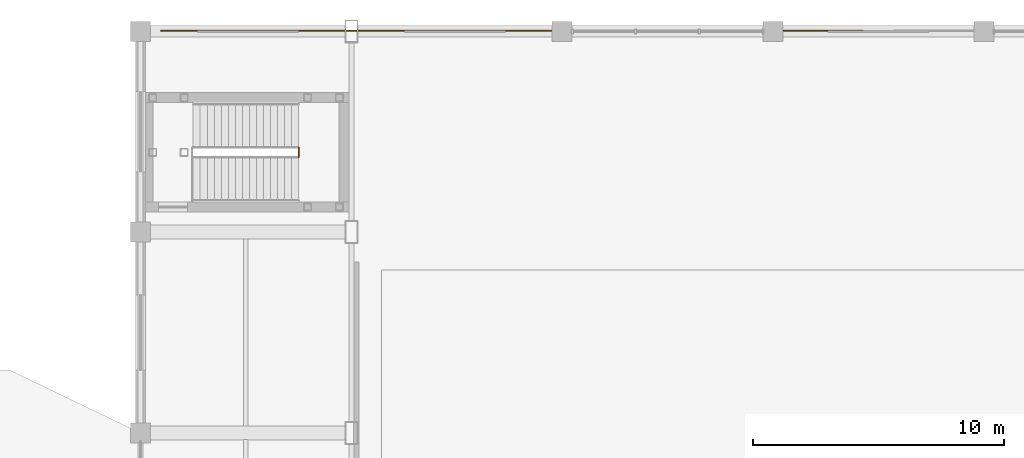
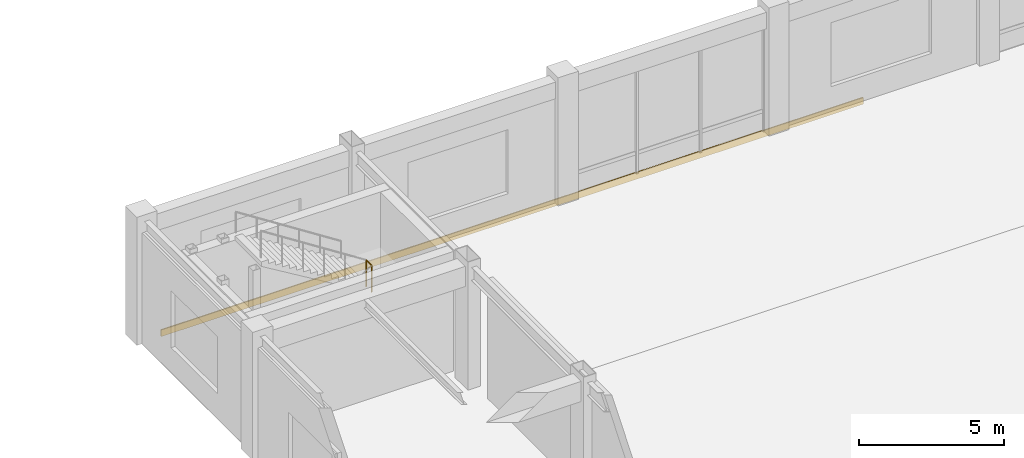
# One storey, part 77 of 79: 1 covering, 1 railing.
"""IFC4 building model written with IfcOpenShell, lengths in metres."""

from ifc_helpers import new_model, si_unit, direction, frame, origin, origin_2d, place, context, subcontext, project, spatial, rectangle, circle, extrude, material, layer, layer_set, type_object, element, save


model = new_model("IFC4")

# Units and contexts
model_context = context("Model", 3, precision=1e-05, world=origin(), true_north=direction((0.0, 1.0)))
body_context = subcontext(model_context, "Body", "Model", "MODEL_VIEW")
ifc_project = project(units=[si_unit("LENGTHUNIT", "METRE"), si_unit("AREAUNIT", "SQUARE_METRE"), si_unit("VOLUMEUNIT", "CUBIC_METRE"), si_unit("PLANEANGLEUNIT", "RADIAN"), si_unit("MASSUNIT", "GRAM", prefix="KILO")], contexts=[model_context])

# Site, building, storey
site_placement = place(None, origin())
site = spatial("IfcSite", under=ifc_project, at=site_placement, CompositionType="ELEMENT")
building_placement = place(site_placement, origin())
building = spatial("IfcBuilding", under=site, at=building_placement, Name="Naruveol Harbour Congress Hotel", CompositionType="ELEMENT")
storey_placement = place(building_placement, frame((0.0, 0.0, 6.0)))
storey = spatial("IfcBuildingStorey", under=building, at=storey_placement, Name="L01", CompositionType="ELEMENT", Elevation=6.0)

# Covering
ifc_material_1 = material(Name="Precast concrete C40/50", Category="concrete")
ifc_layer_1 = layer(ifc_material_1, 0.044921875)
ifc_layer_set_1 = layer_set([ifc_layer_1], Name="Precast concrete C40/50")
covering_type = type_object("IfcCoveringType", Name="HONED INCHEON GRANITE SPANDREL CLADDING 45", PredefinedType="CLADDING", material=ifc_layer_set_1)
covering_placement = place(storey_placement, frame((82.0, 112.02001953125, -0.2900390625), z_axis=(0.0, 0.0, 1.0), x_axis=(1.0, 0.0, 0.0)))
element("IfcCovering", 1, at=covering_placement, inside=storey, type_object=covering_type, Name="Granite spandrel fascia cladding #5", PredefinedType="CLADDING", context=body_context, shape_type="SweptSolid", body=[
    extrude(rectangle(XDim=28.0, YDim=0.044921875, at=origin_2d()), origin(), (0.0, 0.0, 1.0), 0.280029296875),
])

# Railing
ifc_material_2 = material(Name="Steel SN490", Category="steel")
ifc_layer_2 = layer(ifc_material_2, 0.044921875)
ifc_layer_set_2 = layer_set([ifc_layer_2], Name="Steel SN490")
railing_type = type_object("IfcRailingType", Name="STAIRWELL STEEL GUARDRAIL 1150", PredefinedType="GUARDRAIL", material=ifc_layer_set_2)
railing_placement = place(storey_placement, frame((73.5, 106.989990234375, 2.699951171875)))
element("IfcRailing", 2, at=railing_placement, inside=storey, type_object=railing_type, Name="Stair ST8 L01 half-landing slot guard", PredefinedType="GUARDRAIL", context=body_context, shape_type="SweptSolid", body=[
    extrude(circle(Radius=0.02392578125, at=origin_2d()), frame((0.0, 0.0, 1.1259765625), z_axis=(0.0, 1.0, 0.0), x_axis=(-1.0, 0.0, 0.0)), (0.0, 0.0, 1.0), 0.380126953125),
    extrude(circle(Radius=0.02099609375, at=origin_2d()), origin(), (0.0, 0.0, 1.0), 1.101806640625),
    extrude(circle(Radius=0.02099609375, at=origin_2d()), frame((0.0, 0.380126953125, 0.0)), (0.0, 0.0, 1.0), 1.101806640625),
])

save(model, "model.ifc")
